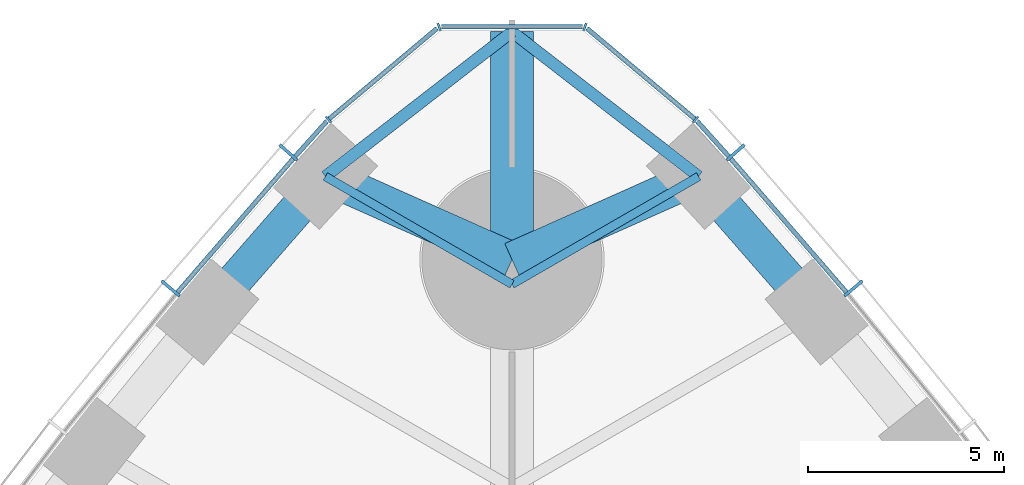
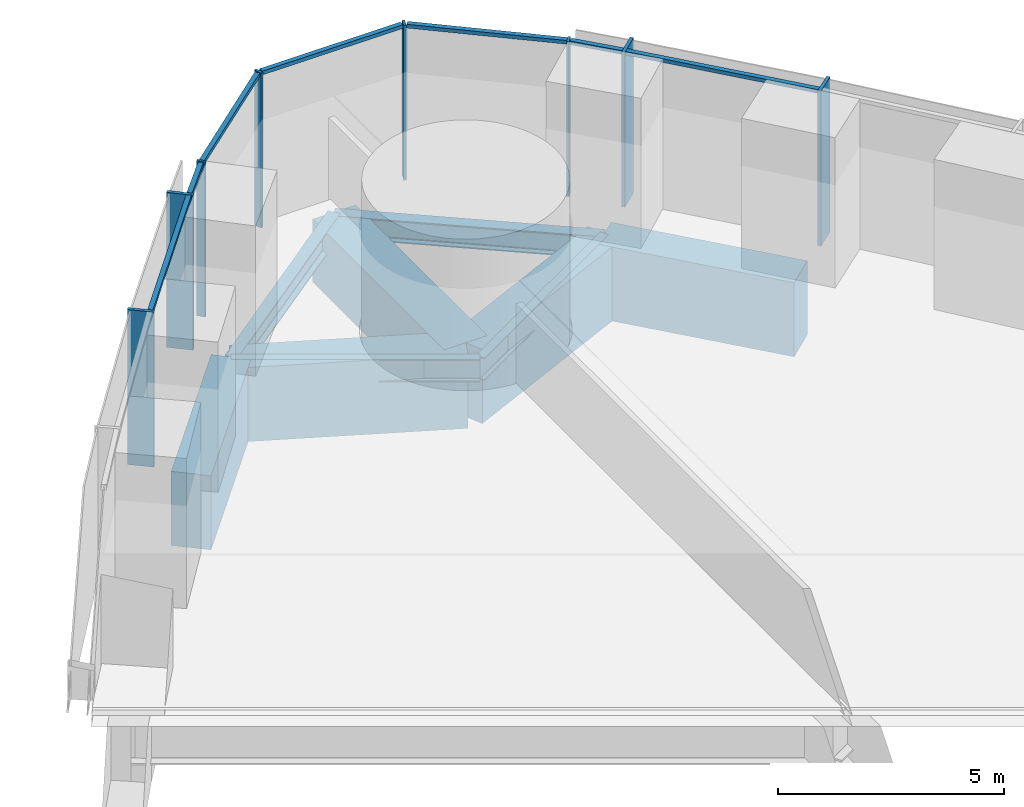
# One storey, part 7 of 18: 15 members, 9 beams, 3 elements without a shape of their own.
"""IFC4 building model written with IfcOpenShell, lengths in metres."""

from ifc_helpers import new_model, si_unit, direction, frame, origin, origin_2d, place, context, subcontext, project, spatial, rectangle, i_section, extrude, material, material_profile, profile_set, type_object, element, aggregate, save


model = new_model("IFC4")

# Units and contexts
model_context = context("Model", 3, precision=1e-05, world=origin(), true_north=direction((0.0, 1.0)))
body_context = subcontext(model_context, "Body", "Model", "MODEL_VIEW")
ifc_project = project(units=[si_unit("LENGTHUNIT", "METRE"), si_unit("AREAUNIT", "SQUARE_METRE"), si_unit("VOLUMEUNIT", "CUBIC_METRE"), si_unit("PLANEANGLEUNIT", "RADIAN"), si_unit("MASSUNIT", "GRAM", prefix="KILO")], contexts=[model_context])

# Site, building, storey
site_placement = place(None, origin())
site = spatial("IfcSite", under=ifc_project, at=site_placement, CompositionType="ELEMENT")
building_placement = place(site_placement, origin())
building = spatial("IfcBuilding", under=site, at=building_placement, Name="Trefoil Bronze Tower", CompositionType="ELEMENT")
storey_placement = place(building_placement, frame((0.0, 0.0, 71.10009765625)))
storey = spatial("IfcBuildingStorey", under=building, at=storey_placement, Name="L16", CompositionType="ELEMENT", Elevation=71.10009765625)

# Curtain wall, members
ifc_material_1 = material(Name="Tinted solar-control glass", Category="glass")
curtain_wall_type_1 = type_object("IfcCurtainWallType", Name="Bronze office curtain wall", PredefinedType="USERDEFINED", material=ifc_material_1)
curtain_wall_1_placement = place(storey_placement, origin())
curtain_wall_1 = element("IfcCurtainWall", 1, at=curtain_wall_1_placement, inside=storey, type_object=curtain_wall_type_1, Name="CW-A L16 F2", ObjectType="CURTAIN WALL", PredefinedType="USERDEFINED")
ifc_material_2 = material(Name="Bronze-finish aluminium", Category="aluminium")
ifc_material_profile_1 = material_profile(ifc_material_2, rectangle(XDim=0.60009765625, YDim=0.080078125, at=origin_2d()), Name="CW-A mullion")
ifc_profile_set_1 = profile_set([ifc_material_profile_1], Name="Bronze-finish aluminium")
member_type_1 = type_object("IfcMemberType", Name="Bronze office curtain wall mullion", PredefinedType="MULLION", material=ifc_profile_set_1)
member_1_placement = place(storey_placement, frame((8.709716796875, 36.265869140625, 0.0), z_axis=(0.0, 0.0, 1.0), x_axis=(-0.765729101889, -0.643163231629, 0.0)))
member_1 = element("IfcMember", 2, at=member_1_placement, type_object=member_type_1, Name="CW-A L16 F2 mullion 15", PredefinedType="MULLION", context=body_context, shape_type="SweptSolid", body=[
    extrude(rectangle(XDim=0.60009765625, YDim=0.080078125, at=origin_2d()), origin(), (0.0, 0.0, 1.0), 4.179931640625),
])
member_2_placement = place(storey_placement, frame((5.70654296875, 39.736328125, 0.0), z_axis=(0.0, 0.0, 1.0), x_axis=(-0.7499405861, -0.661505190698, 0.0)))
member_2 = element("IfcMember", 3, at=member_2_placement, type_object=member_type_1, Name="CW-A L16 F2 mullion 16", PredefinedType="MULLION", context=body_context, shape_type="SweptSolid", body=[
    extrude(rectangle(XDim=0.60009765625, YDim=0.080078125, at=origin_2d()), origin(), (0.0, 0.0, 1.0), 4.179931640625),
])

curtain_wall_2_placement = place(storey_placement, origin())
curtain_wall_2 = element("IfcCurtainWall", 4, at=curtain_wall_2_placement, inside=storey, type_object=curtain_wall_type_1, Name="CW-A L16 F3", ObjectType="CURTAIN WALL", PredefinedType="USERDEFINED")
member_3_placement = place(storey_placement, frame((-5.70654296875, 39.736328125, 0.0), z_axis=(0.0, 0.0, 1.0), x_axis=(0.7499405861, -0.661505190698, 0.0)))
member_3 = element("IfcMember", 5, at=member_3_placement, type_object=member_type_1, Name="CW-A L16 F3 mullion 2", PredefinedType="MULLION", context=body_context, shape_type="SweptSolid", body=[
    extrude(rectangle(XDim=0.60009765625, YDim=0.080078125, at=origin_2d()), origin(), (0.0, 0.0, 1.0), 4.179931640625),
])
member_4_placement = place(storey_placement, frame((-8.709716796875, 36.265869140625, 0.0), z_axis=(0.0, 0.0, 1.0), x_axis=(0.765729101889, -0.643163231629, 0.0)))
member_4 = element("IfcMember", 6, at=member_4_placement, type_object=member_type_1, Name="CW-A L16 F3 mullion 3", PredefinedType="MULLION", context=body_context, shape_type="SweptSolid", body=[
    extrude(rectangle(XDim=0.60009765625, YDim=0.080078125, at=origin_2d()), origin(), (0.0, 0.0, 1.0), 4.179931640625),
])

# Member
ifc_material_3 = material(Name="Bronze-finish aluminium", Category="aluminium")
ifc_material_profile_2 = material_profile(ifc_material_3, rectangle(XDim=0.1201171875, YDim=0.10009765625, at=origin_2d()), Name="CW-A transom")
ifc_profile_set_2 = profile_set([ifc_material_profile_2], Name="Bronze-finish aluminium")
member_type_2 = type_object("IfcMemberType", Name="Bronze office curtain wall transom", PredefinedType="USERDEFINED", material=ifc_profile_set_2)
member_5_placement = place(storey_placement, frame((8.529541015625, 36.16845703125, 4.1298828125), z_axis=(-0.654383303203, 0.75616300656, 0.0), x_axis=(-0.75616300656, -0.654383303203, 0.0)))
member_5 = element("IfcMember", 7, at=member_5_placement, type_object=member_type_2, Name="CW-A L16 F2 transom 15", ObjectType="TRANSOM", PredefinedType="USERDEFINED", context=body_context, shape_type="SweptSolid", body=[
    extrude(rectangle(XDim=0.1201171875, YDim=0.10009765625, at=origin_2d()), origin(), (0.0, 0.0, 1.0), 4.50244140625),
])

member_6_placement = place(storey_placement, frame((5.529052734375, 39.634521484375, 4.1298828125), z_axis=(-0.66858567461, 0.743635122695, 0.0), x_axis=(-0.743635122695, -0.66858567461, 0.0)))
member_6 = element("IfcMember", 8, at=member_6_placement, type_object=member_type_2, Name="CW-A L16 F2 transom 16", ObjectType="TRANSOM", PredefinedType="USERDEFINED", context=body_context, shape_type="SweptSolid", body=[
    extrude(rectangle(XDim=0.1201171875, YDim=0.10009765625, at=origin_2d()), origin(), (0.0, 0.0, 1.0), 1.210205078125),
])

aggregate(curtain_wall_1, [member_1, member_2, member_5, member_6])

member_7_placement = place(storey_placement, frame((-4.719970703125, 40.534423828125, 4.1298828125), z_axis=(-0.66858567461, -0.743635122695, 0.0), x_axis=(0.743635122695, -0.66858567461, 0.0)))
member_7 = element("IfcMember", 9, at=member_7_placement, type_object=member_type_2, Name="CW-A L16 F3 transom 1", ObjectType="TRANSOM", PredefinedType="USERDEFINED", context=body_context, shape_type="SweptSolid", body=[
    extrude(rectangle(XDim=0.1201171875, YDim=0.10009765625, at=origin_2d()), origin(), (0.0, 0.0, 1.0), 1.210205078125),
])

member_8_placement = place(storey_placement, frame((-5.583251953125, 39.572998046875, 4.1298828125), z_axis=(-0.654383303203, -0.75616300656, 0.0), x_axis=(0.75616300656, -0.654383303203, 0.0)))
member_8 = element("IfcMember", 10, at=member_8_placement, type_object=member_type_2, Name="CW-A L16 F3 transom 2", ObjectType="TRANSOM", PredefinedType="USERDEFINED", context=body_context, shape_type="SweptSolid", body=[
    extrude(rectangle(XDim=0.1201171875, YDim=0.10009765625, at=origin_2d()), origin(), (0.0, 0.0, 1.0), 4.50244140625),
])

aggregate(curtain_wall_2, [member_3, member_4, member_7, member_8])

# Curtain wall, members
ifc_material_4 = material(Name="Tinted solar-control glass", Category="glass")
curtain_wall_type_2 = type_object("IfcCurtainWallType", Name="Bronze rounded corner curtain wall", PredefinedType="USERDEFINED", material=ifc_material_4)
curtain_wall_3_placement = place(storey_placement, origin())
curtain_wall_3 = element("IfcCurtainWall", 11, at=curtain_wall_3_placement, inside=storey, type_object=curtain_wall_type_2, Name="CW-B L16 K2", ObjectType="CURTAIN WALL", PredefinedType="USERDEFINED")
ifc_material_5 = material(Name="Bronze-finish aluminium", Category="aluminium")
ifc_material_profile_3 = material_profile(ifc_material_5, rectangle(XDim=0.199951171875, YDim=0.06005859375, at=origin_2d()), Name="CW-B mullion")
ifc_profile_set_3 = profile_set([ifc_material_profile_3], Name="Bronze-finish aluminium")
member_type_3 = type_object("IfcMemberType", Name="Bronze rounded corner curtain wall mullion", PredefinedType="MULLION", material=ifc_profile_set_3)
member_9_placement = place(storey_placement, frame((4.68310546875, 40.573974609375, 0.0), z_axis=(0.0, 0.0, 1.0), x_axis=(-0.642787609687, -0.766044443119, 0.0)))
member_9 = element("IfcMember", 12, at=member_9_placement, type_object=member_type_3, Name="CW-B L16 K2 mullion 1", PredefinedType="MULLION", context=body_context, shape_type="SweptSolid", body=[
    extrude(rectangle(XDim=0.199951171875, YDim=0.06005859375, at=origin_2d()), origin(), (0.0, 0.0, 1.0), 4.179931640625),
])
member_10_placement = place(storey_placement, frame((1.8583984375, 42.9365234375, 0.0), z_axis=(0.0, 0.0, 1.0), x_axis=(-0.342020143326, -0.939692620786, 0.0)))
member_10 = element("IfcMember", 13, at=member_10_placement, type_object=member_type_3, Name="CW-B L16 K2 mullion 2", PredefinedType="MULLION", context=body_context, shape_type="SweptSolid", body=[
    extrude(rectangle(XDim=0.199951171875, YDim=0.06005859375, at=origin_2d()), origin(), (0.0, 0.0, 1.0), 4.179931640625),
])
member_11_placement = place(storey_placement, frame((-1.8583984375, 42.9365234375, 0.0), z_axis=(0.0, 0.0, 1.0), x_axis=(0.342020143326, -0.939692620786, 0.0)))
member_11 = element("IfcMember", 14, at=member_11_placement, type_object=member_type_3, Name="CW-B L16 K2 mullion 3", PredefinedType="MULLION", context=body_context, shape_type="SweptSolid", body=[
    extrude(rectangle(XDim=0.199951171875, YDim=0.06005859375, at=origin_2d()), origin(), (0.0, 0.0, 1.0), 4.179931640625),
])
member_12_placement = place(storey_placement, frame((-4.68310546875, 40.573974609375, 0.0), z_axis=(0.0, 0.0, 1.0), x_axis=(0.642787609687, -0.766044443119, 0.0)))
member_12 = element("IfcMember", 15, at=member_12_placement, type_object=member_type_3, Name="CW-B L16 K2 mullion 4", PredefinedType="MULLION", context=body_context, shape_type="SweptSolid", body=[
    extrude(rectangle(XDim=0.199951171875, YDim=0.06005859375, at=origin_2d()), origin(), (0.0, 0.0, 1.0), 4.179931640625),
])
ifc_material_6 = material(Name="Bronze-finish aluminium", Category="aluminium")
ifc_material_profile_4 = material_profile(ifc_material_6, rectangle(XDim=0.1201171875, YDim=0.10009765625, at=origin_2d()), Name="CW-B transom")
ifc_profile_set_4 = profile_set([ifc_material_profile_4], Name="Bronze-finish aluminium")
member_type_4 = type_object("IfcMemberType", Name="Bronze rounded corner curtain wall transom", PredefinedType="USERDEFINED", material=ifc_profile_set_4)
member_13_placement = place(storey_placement, frame((4.66015625, 40.59326171875, 4.1298828125), z_axis=(-0.766058606238, 0.642770730361, 0.0), x_axis=(-0.642770730361, -0.766058606238, 0.0)))
member_13 = element("IfcMember", 16, at=member_13_placement, type_object=member_type_4, Name="CW-B L16 K2 transom 1", ObjectType="TRANSOM", PredefinedType="USERDEFINED", context=body_context, shape_type="SweptSolid", body=[
    extrude(rectangle(XDim=0.1201171875, YDim=0.10009765625, at=origin_2d()), origin(), (0.0, 0.0, 1.0), 3.588134765625),
])
member_14_placement = place(storey_placement, frame((1.794189453125, 42.9423828125, 4.1298828125), z_axis=(-1.0, 0.0, 0.0), x_axis=(0.0, -1.0, 0.0)))
member_14 = element("IfcMember", 17, at=member_14_placement, type_object=member_type_4, Name="CW-B L16 K2 transom 2", ObjectType="TRANSOM", PredefinedType="USERDEFINED", context=body_context, shape_type="SweptSolid", body=[
    extrude(rectangle(XDim=0.1201171875, YDim=0.10009765625, at=origin_2d()), origin(), (0.0, 0.0, 1.0), 3.58837890625),
])
member_15_placement = place(storey_placement, frame((-1.911376953125, 42.899658203125, 4.1298828125), z_axis=(-0.766058606238, -0.642770730361, 0.0), x_axis=(0.642770730361, -0.766058606238, 0.0)))
member_15 = element("IfcMember", 18, at=member_15_placement, type_object=member_type_4, Name="CW-B L16 K2 transom 3", ObjectType="TRANSOM", PredefinedType="USERDEFINED", context=body_context, shape_type="SweptSolid", body=[
    extrude(rectangle(XDim=0.1201171875, YDim=0.10009765625, at=origin_2d()), origin(), (0.0, 0.0, 1.0), 3.588134765625),
])
aggregate(curtain_wall_3, [member_9, member_10, member_11, member_12, member_13, member_14, member_15])

# Beams
ifc_material_7 = material(Name="Concrete B80", Category="concrete")
ifc_material_profile_5 = material_profile(ifc_material_7, rectangle(XDim=1.10009765625, YDim=1.699951171875, at=origin_2d()), Name="RC 1100x1700")
ifc_profile_set_5 = profile_set([ifc_material_profile_5], Name="Concrete B80")
beam_type_1 = type_object("IfcBeamType", Name="Corner cantilever RC 1100x1700", PredefinedType="BEAM", material=ifc_profile_set_5)
beam_placement = place(storey_placement, frame((0.0, 37.0, -1.050048828125), z_axis=(0.0, 1.0, 0.0), x_axis=(-1.0, 0.0, 0.0)))
element("IfcBeam", 19, at=beam_placement, inside=storey, type_object=beam_type_1, Name="Corner cantilever K2 L16", PredefinedType="BEAM", context=body_context, shape_type="SweptSolid", body=[
    extrude(rectangle(XDim=1.10009765625, YDim=1.699951171875, at=origin_2d()), origin(), (0.0, 0.0, 1.0), 5.814208984375),
])
ifc_material_8 = material(Name="Steel C355", Category="steel")
ifc_material_profile_6 = material_profile(ifc_material_8, i_section(OverallWidth=0.300048828125, OverallDepth=0.60009765625, WebThickness=0.015380859375, FlangeThickness=0.030029296875, FilletRadius=0.027099609375, at=origin_2d()), Name="HEB 600")
ifc_profile_set_6 = profile_set([ifc_material_profile_6], Name="Steel C355")
beam_type_2 = type_object("IfcBeamType", Name="Corner edge beam HEB 600", PredefinedType="BEAM", material=ifc_profile_set_6)
for number, where, z_axis, x_axis, name in (
    (20, (4.76171875, 39.122314453125, -0.5), (-0.790289474622, 0.612733666696, 0.0), (-0.612733666696, -0.790289474622, 0.0), "Corner edge beam F2A L16"),
    (21, (-4.76171875, 39.122314453125, -0.5), (0.790289474622, 0.612733666696, 0.0), (-0.612733666696, 0.790289474622, 0.0), "Corner edge beam F3B L16"),
):
    element("IfcBeam", number, at=place(storey_placement, frame(where, z_axis=z_axis, x_axis=x_axis)), inside=storey, type_object=beam_type_2, Name=name, PredefinedType="BEAM", context=body_context, shape_type="SweptSolid", body=[
        extrude(i_section(OverallWidth=0.300048828125, OverallDepth=0.60009765625, WebThickness=0.015380859375, FlangeThickness=0.030029296875, FilletRadius=0.027099609375, at=origin_2d()), origin(), (0.0, 0.0, 1.0), 6.025390625),
    ])
ifc_material_9 = material(Name="Concrete B80", Category="concrete")
ifc_material_profile_7 = material_profile(ifc_material_9, rectangle(XDim=0.89990234375, YDim=2.0, at=origin_2d()), Name="RC 900x2000")
ifc_profile_set_7 = profile_set([ifc_material_profile_7], Name="Concrete B80")
beam_type_3 = type_object("IfcBeamType", Name="End spandrel beam RC 900x2000", PredefinedType="SPANDREL", material=ifc_profile_set_7)
for number, where, z_axis, x_axis, name in (
    (22, (4.76171875, 39.122314453125, -1.2001953125), (-0.913384257879, -0.407098510754, 0.0), (0.407098510754, -0.913384257879, 0.0), "Spandrel F2.16 L16"),
    (23, (0.0, 37.0, -1.2001953125), (-0.913384257879, 0.407098510754, 0.0), (-0.407098510754, -0.913384257879, 0.0), "Spandrel F3.1 L16"),
):
    element("IfcBeam", number, at=place(storey_placement, frame(where, z_axis=z_axis, x_axis=x_axis)), inside=storey, type_object=beam_type_3, Name=name, PredefinedType="SPANDREL", context=body_context, shape_type="SweptSolid", body=[
        extrude(rectangle(XDim=0.89990234375, YDim=2.0, at=origin_2d()), origin(), (0.0, 0.0, 1.0), 5.21337890625),
    ])
ifc_material_10 = material(Name="Steel C355", Category="steel")
ifc_material_profile_8 = material_profile(ifc_material_10, i_section(OverallWidth=0.219970703125, OverallDepth=0.60009765625, WebThickness=0.011962890625, FlangeThickness=0.01904296875, FilletRadius=0.02392578125, at=origin_2d()), Name="IPE 600")
ifc_profile_set_8 = profile_set([ifc_material_profile_8], Name="Steel C355")
beam_type_4 = type_object("IfcBeamType", Name="Floor beam IPE 600", PredefinedType="BEAM", material=ifc_profile_set_8)
for number, where, z_axis, x_axis, name in (
    (24, (4.76171875, 39.122314453125, -0.5), (-0.866018475376, -0.500012000164, 0.0), (0.500012000164, -0.866018475376, 0.0), "Floor beam F2/+7 L16"),
    (25, (-4.76171875, 39.122314453125, -0.5), (0.866018475376, -0.500012000164, 0.0), (0.500012000164, 0.866018475376, 0.0), "Floor beam F3/-7 L16"),
):
    element("IfcBeam", number, at=place(storey_placement, frame(where, z_axis=z_axis, x_axis=x_axis)), inside=storey, type_object=beam_type_4, Name=name, PredefinedType="BEAM", context=body_context, shape_type="SweptSolid", body=[
        extrude(i_section(OverallWidth=0.219970703125, OverallDepth=0.60009765625, WebThickness=0.011962890625, FlangeThickness=0.01904296875, FilletRadius=0.02392578125, at=origin_2d()), origin(), (0.0, 0.0, 1.0), 5.498291015625),
    ])
ifc_material_11 = material(Name="Concrete B80", Category="concrete")
ifc_material_profile_9 = material_profile(ifc_material_11, rectangle(XDim=0.89990234375, YDim=2.0, at=origin_2d()), Name="RC 900x2000")
ifc_profile_set_9 = profile_set([ifc_material_profile_9], Name="Concrete B80")
beam_type_5 = type_object("IfcBeamType", Name="Spandrel beam RC 900x2000", PredefinedType="SPANDREL", material=ifc_profile_set_9)
for number, where, z_axis, x_axis, name in (
    (26, (7.7763671875, 35.666748046875, -1.2001953125), (-0.657395767989, 0.753545489158, 0.0), (-0.753545489158, -0.657395767989, 0.0), "Spandrel F2.15 L16"),
    (27, (-4.76171875, 39.122314453125, -1.2001953125), (-0.657395767989, -0.753545489158, 0.0), (0.753545489158, -0.657395767989, 0.0), "Spandrel F3.2 L16"),
):
    element("IfcBeam", number, at=place(storey_placement, frame(where, z_axis=z_axis, x_axis=x_axis)), inside=storey, type_object=beam_type_5, Name=name, PredefinedType="SPANDREL", context=body_context, shape_type="SweptSolid", body=[
        extrude(rectangle(XDim=0.89990234375, YDim=2.0, at=origin_2d()), origin(), (0.0, 0.0, 1.0), 4.585693359375),
    ])

save(model, "model.ifc")
